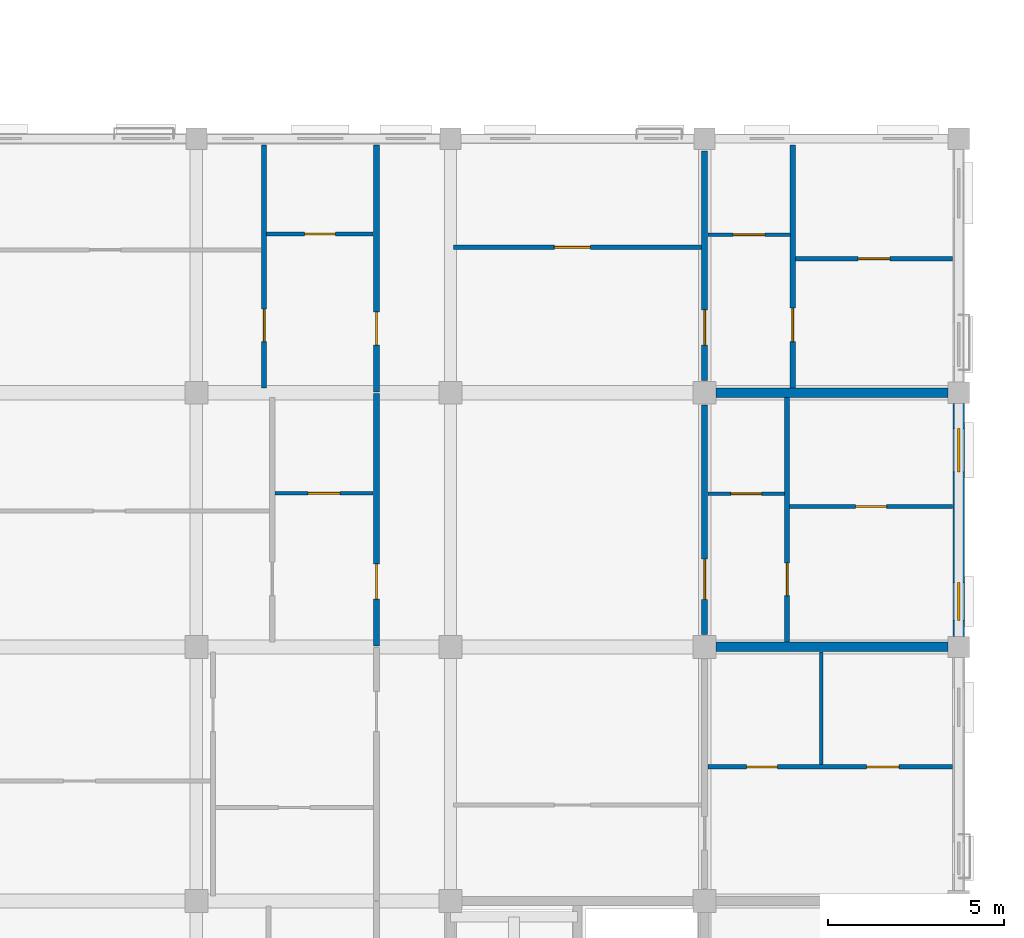
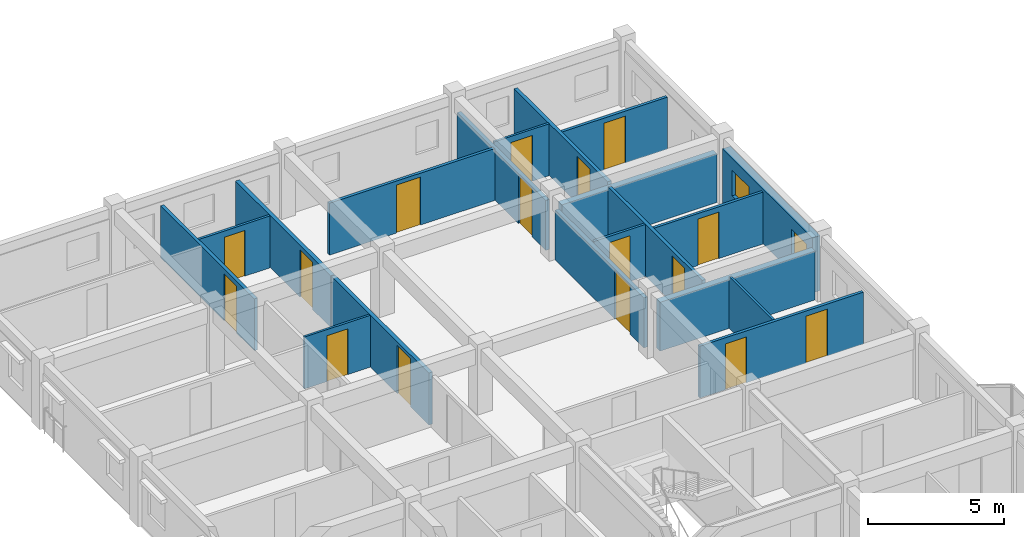
# One storey, part 104 of 124: 19 walls, 16 doors, 2 windows, 18 openings.
"""IFC4 building model written with IfcOpenShell, lengths in metres."""

from ifc_helpers import new_model, si_unit, direction, frame, frame_2d, origin, place, context, subcontext, project, spatial, rectangle, extrude, material, layer, layer_set, type_object, element, fill, save


model = new_model("IFC4")

# Units and contexts
model_context = context("Model", 3, precision=1e-05, world=origin(), true_north=direction((0.0, 1.0)))
body_context = subcontext(model_context, "Body", "Model", "MODEL_VIEW")
ifc_project = project(units=[si_unit("LENGTHUNIT", "METRE"), si_unit("AREAUNIT", "SQUARE_METRE"), si_unit("VOLUMEUNIT", "CUBIC_METRE"), si_unit("PLANEANGLEUNIT", "RADIAN"), si_unit("MASSUNIT", "GRAM", prefix="KILO"), si_unit("THERMODYNAMICTEMPERATUREUNIT", "KELVIN"), si_unit("POWERUNIT", "WATT")], contexts=[model_context])

# Site, building, storey
site_placement = place(None, origin())
site = spatial("IfcSite", under=ifc_project, at=site_placement, CompositionType="ELEMENT")
building_placement = place(site_placement, origin())
building = spatial("IfcBuilding", under=site, at=building_placement, Name="Tavuni Mirador Residences", CompositionType="ELEMENT")
storey_placement = place(building_placement, frame((0.0, 0.0, 7.64990234375)))
storey = spatial("IfcBuildingStorey", under=building, at=storey_placement, Name="L02", CompositionType="ELEMENT", Elevation=7.64990234375)

# Wall, opening, door
ifc_material_1 = material(Name="Precast concrete C40/50", Category="concrete")
ifc_layer_1 = layer(ifc_material_1, 0.1650390625, Name="Precast concrete C40/50", Category="concrete")
ifc_layer_set_1 = layer_set([ifc_layer_1], Name="Precast concrete C40/50")
wall_type_1 = type_object("IfcWallType", Name="WT-CORR165", PredefinedType="PARTITIONING", material=ifc_layer_set_1)
wall_1_placement = place(storey_placement, frame((102.300048828125, 122.419921875, 0.0), z_axis=(0.0, 0.0, 1.0), x_axis=(0.0, 1.0, 0.0)))
wall_1 = element("IfcWall", 1, at=wall_1_placement, inside=storey, type_object=wall_type_1, Name="CORW-BLK-D-L02-0-05", PredefinedType="PARTITIONING", context=body_context, shape_type="SweptSolid", body=[
    extrude(rectangle(XDim=7.16015625, YDim=0.1650390625, at=frame_2d((3.580078125, 0.0))), origin(), (0.0, 0.0, 1.0), 2.3251953125),
])
opening_1_placement = place(wall_1_placement, frame((1.330078125, 0.0, 0.0)))
opening_1 = element("IfcOpeningElement", 2, at=opening_1_placement, cuts=wall_1, Name="Opening D-03", PredefinedType="OPENING", context=body_context, shape_type="SweptSolid", body=[
    extrude(rectangle(XDim=1.0, YDim=2.14990234375, at=frame_2d((0.5, 1.074951171875))), frame((0.0, 0.092529296875, 0.0), z_axis=(0.0, -1.0, 0.0), x_axis=(1.0, 0.0, 0.0)), (0.0, 0.0, 1.0), 0.18505859375),
])
ifc_material_2 = material(Name="Solid core iroko timber", Category="wood")
door_type_1 = type_object("IfcDoorType", Name="DT-FD60-1000", OperationType="NOTDEFINED", PredefinedType="DOOR", material=ifc_material_2)
door_1_placement = place(opening_1_placement, origin())
door_1 = element("IfcDoor", 3, at=door_1_placement, inside=storey, type_object=door_type_1, Name="DR-2838", OperationType="SINGLE_SWING_LEFT", OverallHeight=2.14990234375, OverallWidth=1.0, PredefinedType="DOOR", context=body_context, shape_type="SweptSolid", body=[
    extrude(rectangle(XDim=1.0, YDim=2.14990234375, at=frame_2d((0.5, 1.074951171875))), frame((0.0, 0.02490234375, 0.0), z_axis=(0.0, -1.0, 0.0), x_axis=(1.0, 0.0, 0.0)), (0.0, 0.0, 1.0), 0.050048828125),
])
fill(opening_1, door_1)

wall_2_placement = place(storey_placement, frame((102.300048828125, 129.6201171875, 0.0), z_axis=(0.0, 0.0, 1.0), x_axis=(0.0, 1.0, 0.0)))
wall_2 = element("IfcWall", 4, at=wall_2_placement, inside=storey, type_object=wall_type_1, Name="CORW-BLK-D-L02-0-06", PredefinedType="PARTITIONING", context=body_context, shape_type="SweptSolid", body=[
    extrude(rectangle(XDim=7.0048828125, YDim=0.1650390625, at=frame_2d((3.50244140625, 0.0))), origin(), (0.0, 0.0, 1.0), 2.3251953125),
])
opening_2_placement = place(wall_2_placement, frame((1.330078125, 0.0, 0.0)))
opening_2 = element("IfcOpeningElement", 5, at=opening_2_placement, cuts=wall_2, Name="Opening D-19", PredefinedType="OPENING", context=body_context, shape_type="SweptSolid", body=[
    extrude(rectangle(XDim=0.93994140625, YDim=2.1201171875, at=frame_2d((0.469970703125, 1.06005859375))), frame((0.0, 0.092529296875, 0.0), z_axis=(0.0, -1.0, 0.0), x_axis=(1.0, 0.0, 0.0)), (0.0, 0.0, 1.0), 0.18505859375),
])
door_type_2 = type_object("IfcDoorType", Name="DT-FD60-940", OperationType="NOTDEFINED", PredefinedType="DOOR", material=ifc_material_2)
door_2_placement = place(opening_2_placement, origin())
door_2 = element("IfcDoor", 6, at=door_2_placement, inside=storey, type_object=door_type_2, Name="DR-2839", OperationType="SINGLE_SWING_RIGHT", OverallHeight=2.1201171875, OverallWidth=0.93994140625, PredefinedType="DOOR", context=body_context, shape_type="SweptSolid", body=[
    extrude(rectangle(XDim=0.93994140625, YDim=2.1201171875, at=frame_2d((0.469970703125, 1.06005859375))), frame((0.0, 0.02490234375, 0.0), z_axis=(0.0, -1.0, 0.0), x_axis=(1.0, 0.0, 0.0)), (0.0, 0.0, 1.0), 0.050048828125),
])
fill(opening_2, door_2)

wall_3_placement = place(storey_placement, frame((111.60009765625, 122.75, 0.0), z_axis=(0.0, 0.0, 1.0), x_axis=(0.0, 1.0, 0.0)))
wall_3 = element("IfcWall", 7, at=wall_3_placement, inside=storey, type_object=wall_type_1, Name="CORW-BLK-D-L02-1-05", PredefinedType="PARTITIONING", context=body_context, shape_type="SweptSolid", body=[
    extrude(rectangle(XDim=6.5, YDim=0.1650390625, at=frame_2d((3.25, 0.0))), origin(), (0.0, 0.0, 1.0), 2.239990234375),
])
opening_3_placement = place(wall_3_placement, frame((1.0, 0.0, 0.0)))
opening_3 = element("IfcOpeningElement", 8, at=opening_3_placement, cuts=wall_3, Name="Opening D-20", PredefinedType="OPENING", context=body_context, shape_type="SweptSolid", body=[
    extrude(rectangle(XDim=1.139892578125, YDim=2.179931640625, at=frame_2d((0.56982421875, 1.08984375))), frame((0.0, 0.092529296875, 0.0), z_axis=(0.0, -1.0, 0.0), x_axis=(1.0, 0.0, 0.0)), (0.0, 0.0, 1.0), 0.18505859375),
])
door_type_3 = type_object("IfcDoorType", Name="DT-FD60-1140", OperationType="NOTDEFINED", PredefinedType="DOOR", material=ifc_material_2)
door_3_placement = place(opening_3_placement, origin())
door_3 = element("IfcDoor", 9, at=door_3_placement, inside=storey, type_object=door_type_3, Name="DR-2843", OperationType="SINGLE_SWING_RIGHT", OverallHeight=2.179931640625, OverallWidth=1.139892578125, PredefinedType="DOOR", context=body_context, shape_type="SweptSolid", body=[
    extrude(rectangle(XDim=1.139892578125, YDim=2.179931640625, at=frame_2d((0.56982421875, 1.08984375))), frame((0.0, 0.02490234375, 0.0), z_axis=(0.0, -1.0, 0.0), x_axis=(1.0, 0.0, 0.0)), (0.0, 0.0, 1.0), 0.050048828125),
])
fill(opening_3, door_3)

wall_4_placement = place(storey_placement, frame((111.60009765625, 129.949951171875, 0.0), z_axis=(0.0, 0.0, 1.0), x_axis=(0.0, 1.0, 0.0)))
wall_4 = element("IfcWall", 10, at=wall_4_placement, inside=storey, type_object=wall_type_1, Name="CORW-BLK-D-L02-1-06", PredefinedType="PARTITIONING", context=body_context, shape_type="SweptSolid", body=[
    extrude(rectangle(XDim=6.5, YDim=0.1650390625, at=frame_2d((3.25, 0.0))), origin(), (0.0, 0.0, 1.0), 2.239990234375),
])
opening_4_placement = place(wall_4_placement, frame((1.0, 0.0, 0.0)))
opening_4 = element("IfcOpeningElement", 11, at=opening_4_placement, cuts=wall_4, Name="Opening D-03", PredefinedType="OPENING", context=body_context, shape_type="SweptSolid", body=[
    extrude(rectangle(XDim=1.0, YDim=2.14990234375, at=frame_2d((0.5, 1.074951171875))), frame((0.0, 0.092529296875, 0.0), z_axis=(0.0, -1.0, 0.0), x_axis=(1.0, 0.0, 0.0)), (0.0, 0.0, 1.0), 0.18505859375),
])
door_4_placement = place(opening_4_placement, origin())
door_4 = element("IfcDoor", 12, at=door_4_placement, inside=storey, type_object=door_type_1, Name="DR-2844", OperationType="SINGLE_SWING_LEFT", OverallHeight=2.14990234375, OverallWidth=1.0, PredefinedType="DOOR", context=body_context, shape_type="SweptSolid", body=[
    extrude(rectangle(XDim=1.0, YDim=2.14990234375, at=frame_2d((0.5, 1.074951171875))), frame((0.0, 0.02490234375, 0.0), z_axis=(0.0, -1.0, 0.0), x_axis=(1.0, 0.0, 0.0)), (0.0, 0.0, 1.0), 0.050048828125),
])
fill(opening_4, door_4)

# Wall, openings, windows
ifc_layer_2 = layer(ifc_material_1, 0.330078125, Name="Precast concrete C40/50", Category="concrete")
ifc_layer_set_2 = layer_set([ifc_layer_2], Name="Precast concrete C40/50")
wall_type_2 = type_object("IfcWallType", Name="WT-EXT-COR330", PredefinedType="SOLIDWALL", material=ifc_layer_set_2)
wall_5_placement = place(storey_placement, frame((118.800048828125, 122.699951171875, 0.0), z_axis=(0.0, 0.0, 1.0), x_axis=(0.0, 1.0, 0.0)))
wall_5 = element("IfcWall", 13, at=wall_5_placement, inside=storey, type_object=wall_type_2, Name="EW-BLK-D-L02-E05", PredefinedType="SOLIDWALL", context=body_context, shape_type="SweptSolid", body=[
    extrude(rectangle(XDim=6.60009765625, YDim=0.330078125, at=frame_2d((3.300048828125, 0.0))), origin(), (0.0, 0.0, 1.0), 2.460205078125),
])
opening_5_placement = place(wall_5_placement, frame((0.449951171875, 0.0, 0.780029296875)))
opening_5 = element("IfcOpeningElement", 14, at=opening_5_placement, cuts=wall_5, Name="Opening WN-04", PredefinedType="OPENING", context=body_context, shape_type="SweptSolid", body=[
    extrude(rectangle(XDim=1.080078125, YDim=1.14990234375, at=frame_2d((0.5400390625, 0.574951171875))), frame((0.0, 0.175048828125, 0.0), z_axis=(0.0, -1.0, 0.0), x_axis=(1.0, 0.0, 0.0)), (0.0, 0.0, 1.0), 0.35009765625),
])
opening_6_placement = place(wall_5_placement, frame((4.64990234375, 0.0, 0.780029296875)))
opening_6 = element("IfcOpeningElement", 15, at=opening_6_placement, cuts=wall_5, Name="Opening WN-06", PredefinedType="OPENING", context=body_context, shape_type="SweptSolid", body=[
    extrude(rectangle(XDim=1.239990234375, YDim=1.14990234375, at=frame_2d((0.6201171875, 0.574951171875))), frame((0.0, 0.175048828125, 0.0), z_axis=(0.0, -1.0, 0.0), x_axis=(1.0, 0.0, 0.0)), (0.0, 0.0, 1.0), 0.35009765625),
])
ifc_material_3 = material(Name="Laminated solar-control glass", Category="glass")
window_type_1 = type_object("IfcWindowType", Name="WNT-04", PartitioningType="SINGLE_PANEL", PredefinedType="WINDOW", material=ifc_material_3)
window_1_placement = place(opening_5_placement, origin())
window_1 = element("IfcWindow", 16, at=window_1_placement, inside=storey, type_object=window_type_1, Name="WIN-1501", OverallHeight=1.14990234375, OverallWidth=1.080078125, PartitioningType="SINGLE_PANEL", PredefinedType="WINDOW", context=body_context, shape_type="SweptSolid", body=[
    extrude(rectangle(XDim=1.080078125, YDim=1.14990234375, at=frame_2d((0.5400390625, 0.574951171875))), frame((0.0, 0.030029296875, 0.0), z_axis=(0.0, -1.0, 0.0), x_axis=(1.0, 0.0, 0.0)), (0.0, 0.0, 1.0), 0.06005859375),
])
fill(opening_5, window_1)
window_type_2 = type_object("IfcWindowType", Name="WNT-06", PartitioningType="SINGLE_PANEL", PredefinedType="WINDOW", material=ifc_material_3)
window_2_placement = place(opening_6_placement, origin())
window_2 = element("IfcWindow", 17, at=window_2_placement, inside=storey, type_object=window_type_2, Name="WIN-1502", OverallHeight=1.14990234375, OverallWidth=1.239990234375, PartitioningType="SINGLE_PANEL", PredefinedType="WINDOW", context=body_context, shape_type="SweptSolid", body=[
    extrude(rectangle(XDim=1.239990234375, YDim=1.14990234375, at=frame_2d((0.6201171875, 0.574951171875))), frame((0.0, 0.030029296875, 0.0), z_axis=(0.0, -1.0, 0.0), x_axis=(1.0, 0.0, 0.0)), (0.0, 0.0, 1.0), 0.06005859375),
])
fill(opening_6, window_2)

# Wall
ifc_material_4 = material(Name="Acoustic gypsum and concrete block partition", Category="concrete")
ifc_layer_3 = layer(ifc_material_4, 0.094970703125, Name="Acoustic gypsum and concrete block partition", Category="concrete")
ifc_layer_set_3 = layer_set([ifc_layer_3], Name="Acoustic gypsum and concrete block partition")
wall_type_3 = type_object("IfcWallType", Name="WT-PART095", PredefinedType="PARTITIONING", material=ifc_layer_set_3)
wall_6_placement = place(storey_placement, frame((114.89990234375, 119.070068359375, 0.0), z_axis=(0.0, 0.0, 1.0), x_axis=(0.0, 1.0, 0.0)))
element("IfcWall", 18, at=wall_6_placement, inside=storey, type_object=wall_type_3, Name="PW-BLK-D-L02-PF04-V", PredefinedType="PARTITIONING", context=body_context, shape_type="SweptSolid", body=[
    extrude(rectangle(XDim=3.18994140625, YDim=0.094970703125, at=frame_2d((1.594970703125, 0.0))), origin(), (0.0, 0.0, 1.0), 2.3251953125),
])

# Wall, opening, door
wall_7_placement = place(storey_placement, frame((99.419921875, 126.75, 0.0), z_axis=(0.0, 0.0, 1.0), x_axis=(1.0, 0.0, 0.0)))
wall_7 = element("IfcWall", 19, at=wall_7_placement, inside=storey, type_object=wall_type_3, Name="PW-BLK-D-L02-W05-IN1", PredefinedType="PARTITIONING", context=body_context, shape_type="SweptSolid", body=[
    extrude(rectangle(XDim=2.7900390625, YDim=0.094970703125, at=frame_2d((1.39501953125, 0.0))), origin(), (0.0, 0.0, 1.0), 2.3251953125),
])
opening_7_placement = place(wall_7_placement, frame((0.945068359375, 0.0, 0.0)))
opening_7 = element("IfcOpeningElement", 20, at=opening_7_placement, cuts=wall_7, Name="Opening D-09", PredefinedType="OPENING", context=body_context, shape_type="SweptSolid", body=[
    extrude(rectangle(XDim=0.89990234375, YDim=2.050048828125, at=frame_2d((0.449951171875, 1.02490234375))), frame((0.0, 0.0576171875, 0.0), z_axis=(0.0, -1.0, 0.0), x_axis=(1.0, 0.0, 0.0)), (0.0, 0.0, 1.0), 0.114990234375),
])
door_type_4 = type_object("IfcDoorType", Name="DT-WC900", OperationType="NOTDEFINED", PredefinedType="DOOR", material=ifc_material_2)
door_5_placement = place(opening_7_placement, origin())
door_5 = element("IfcDoor", 21, at=door_5_placement, inside=storey, type_object=door_type_4, Name="DR-4380", OperationType="SINGLE_SWING_RIGHT", OverallHeight=2.050048828125, OverallWidth=0.89990234375, PredefinedType="DOOR", context=body_context, shape_type="SweptSolid", body=[
    extrude(rectangle(XDim=0.89990234375, YDim=2.050048828125, at=frame_2d((0.449951171875, 1.02490234375))), frame((0.0, 0.02490234375, 0.0), z_axis=(0.0, -1.0, 0.0), x_axis=(1.0, 0.0, 0.0)), (0.0, 0.0, 1.0), 0.050048828125),
])
fill(opening_7, door_5)

wall_8_placement = place(storey_placement, frame((111.68994140625, 134.080078125, 0.0), z_axis=(0.0, 0.0, 1.0), x_axis=(1.0, 0.0, 0.0)))
wall_8 = element("IfcWall", 22, at=wall_8_placement, inside=storey, type_object=wall_type_3, Name="PW-BLK-D-L02-E06-IN1", PredefinedType="PARTITIONING", context=body_context, shape_type="SweptSolid", body=[
    extrude(rectangle(XDim=2.340087890625, YDim=0.094970703125, at=frame_2d((1.169921875, 0.0))), origin(), (0.0, 0.0, 1.0), 2.3251953125),
])
opening_8_placement = place(wall_8_placement, frame((0.719970703125, 0.0, 0.0)))
opening_8 = element("IfcOpeningElement", 23, at=opening_8_placement, cuts=wall_8, Name="Opening D-09", PredefinedType="OPENING", context=body_context, shape_type="SweptSolid", body=[
    extrude(rectangle(XDim=0.89990234375, YDim=2.050048828125, at=frame_2d((0.449951171875, 1.02490234375))), frame((0.0, 0.0576171875, 0.0), z_axis=(0.0, -1.0, 0.0), x_axis=(1.0, 0.0, 0.0)), (0.0, 0.0, 1.0), 0.114990234375),
])
door_6_placement = place(opening_8_placement, origin())
door_6 = element("IfcDoor", 24, at=door_6_placement, inside=storey, type_object=door_type_4, Name="DR-4390", OperationType="SINGLE_SWING_RIGHT", OverallHeight=2.050048828125, OverallWidth=0.89990234375, PredefinedType="DOOR", context=body_context, shape_type="SweptSolid", body=[
    extrude(rectangle(XDim=0.89990234375, YDim=2.050048828125, at=frame_2d((0.449951171875, 1.02490234375))), frame((0.0, 0.02490234375, 0.0), z_axis=(0.0, -1.0, 0.0), x_axis=(1.0, 0.0, 0.0)), (0.0, 0.0, 1.0), 0.050048828125),
])
fill(opening_8, door_6)

ifc_layer_4 = layer(ifc_material_4, 0.10498046875, Name="Acoustic gypsum and concrete block partition", Category="concrete")
ifc_layer_set_4 = layer_set([ifc_layer_4], Name="Acoustic gypsum and concrete block partition")
wall_type_4 = type_object("IfcWallType", Name="WT-PART105", PredefinedType="PARTITIONING", material=ifc_layer_set_4)
wall_9_placement = place(storey_placement, frame((111.68994140625, 126.739990234375, 0.0), z_axis=(0.0, 0.0, 1.0), x_axis=(1.0, 0.0, 0.0)))
wall_9 = element("IfcWall", 25, at=wall_9_placement, inside=storey, type_object=wall_type_4, Name="PW-BLK-D-L02-E05-IN1", PredefinedType="PARTITIONING", context=body_context, shape_type="SweptSolid", body=[
    extrude(rectangle(XDim=2.18017578125, YDim=0.10498046875, at=frame_2d((1.090087890625, 0.0))), origin(), (0.0, 0.0, 1.0), 2.3251953125),
])
opening_9_placement = place(wall_9_placement, frame((0.655029296875, 0.0, 0.0)))
opening_9 = element("IfcOpeningElement", 26, at=opening_9_placement, cuts=wall_9, Name="Opening D-10", PredefinedType="OPENING", context=body_context, shape_type="SweptSolid", body=[
    extrude(rectangle(XDim=0.8701171875, YDim=2.050048828125, at=frame_2d((0.43505859375, 1.02490234375))), frame((0.0, 0.0625, 0.0), z_axis=(0.0, -1.0, 0.0), x_axis=(1.0, 0.0, 0.0)), (0.0, 0.0, 1.0), 0.125),
])
door_type_5 = type_object("IfcDoorType", Name="DT-WC870", OperationType="NOTDEFINED", PredefinedType="DOOR", material=ifc_material_2)
door_7_placement = place(opening_9_placement, origin())
door_7 = element("IfcDoor", 27, at=door_7_placement, inside=storey, type_object=door_type_5, Name="DR-4383", OperationType="SINGLE_SWING_LEFT", OverallHeight=2.050048828125, OverallWidth=0.8701171875, PredefinedType="DOOR", context=body_context, shape_type="SweptSolid", body=[
    extrude(rectangle(XDim=0.8701171875, YDim=2.050048828125, at=frame_2d((0.43505859375, 1.02490234375))), frame((0.0, 0.02490234375, 0.0), z_axis=(0.0, -1.0, 0.0), x_axis=(1.0, 0.0, 0.0)), (0.0, 0.0, 1.0), 0.050048828125),
])
fill(opening_9, door_7)

wall_10_placement = place(storey_placement, frame((99.18994140625, 134.10009765625, 0.0), z_axis=(0.0, 0.0, 1.0), x_axis=(1.0, 0.0, 0.0)))
wall_10 = element("IfcWall", 28, at=wall_10_placement, inside=storey, type_object=wall_type_4, Name="PW-BLK-D-L02-W06-IN1", PredefinedType="PARTITIONING", context=body_context, shape_type="SweptSolid", body=[
    extrude(rectangle(XDim=3.02001953125, YDim=0.10498046875, at=frame_2d((1.510009765625, 0.0))), origin(), (0.0, 0.0, 1.0), 2.3251953125),
])
opening_10_placement = place(wall_10_placement, frame((1.074951171875, 0.0, 0.0)))
opening_10 = element("IfcOpeningElement", 29, at=opening_10_placement, cuts=wall_10, Name="Opening D-10", PredefinedType="OPENING", context=body_context, shape_type="SweptSolid", body=[
    extrude(rectangle(XDim=0.8701171875, YDim=2.050048828125, at=frame_2d((0.43505859375, 1.02490234375))), frame((0.0, 0.0625, 0.0), z_axis=(0.0, -1.0, 0.0), x_axis=(1.0, 0.0, 0.0)), (0.0, 0.0, 1.0), 0.125),
])
door_8_placement = place(opening_10_placement, origin())
door_8 = element("IfcDoor", 30, at=door_8_placement, inside=storey, type_object=door_type_5, Name="DR-4387", OperationType="SINGLE_SWING_LEFT", OverallHeight=2.050048828125, OverallWidth=0.8701171875, PredefinedType="DOOR", context=body_context, shape_type="SweptSolid", body=[
    extrude(rectangle(XDim=0.8701171875, YDim=2.050048828125, at=frame_2d((0.43505859375, 1.02490234375))), frame((0.0, 0.02490234375, 0.0), z_axis=(0.0, -1.0, 0.0), x_axis=(1.0, 0.0, 0.0)), (0.0, 0.0, 1.0), 0.050048828125),
])
fill(opening_10, door_8)

ifc_layer_5 = layer(ifc_material_4, 0.114990234375, Name="Acoustic gypsum and concrete block partition", Category="concrete")
ifc_layer_set_5 = layer_set([ifc_layer_5], Name="Acoustic gypsum and concrete block partition")
wall_type_5 = type_object("IfcWallType", Name="WT-PART115", PredefinedType="PARTITIONING", material=ifc_layer_set_5)
wall_11_placement = place(storey_placement, frame((114.010009765625, 126.3798828125, 0.0), z_axis=(0.0, 0.0, 1.0), x_axis=(1.0, 0.0, 0.0)))
wall_11 = element("IfcWall", 31, at=wall_11_placement, inside=storey, type_object=wall_type_5, Name="PW-BLK-D-L02-E05-OUT", PredefinedType="PARTITIONING", context=body_context, shape_type="SweptSolid", body=[
    extrude(rectangle(XDim=4.614990234375, YDim=0.114990234375, at=frame_2d((2.3076171875, 0.0))), origin(), (0.0, 0.0, 1.0), 2.3251953125),
])
opening_11_placement = place(wall_11_placement, frame((1.867431640625, 0.0, 0.0)))
opening_11 = element("IfcOpeningElement", 32, at=opening_11_placement, cuts=wall_11, Name="Opening D-08", PredefinedType="OPENING", context=body_context, shape_type="SweptSolid", body=[
    extrude(rectangle(XDim=0.8798828125, YDim=2.080078125, at=frame_2d((0.43994140625, 1.0400390625))), frame((0.0, 0.0673828125, 0.0), z_axis=(0.0, -1.0, 0.0), x_axis=(1.0, 0.0, 0.0)), (0.0, 0.0, 1.0), 0.135009765625),
])
door_type_6 = type_object("IfcDoorType", Name="DT-BED880", OperationType="NOTDEFINED", PredefinedType="DOOR", material=ifc_material_2)
door_9_placement = place(opening_11_placement, origin())
door_9 = element("IfcDoor", 33, at=door_9_placement, inside=storey, type_object=door_type_6, Name="DR-4382", OperationType="SINGLE_SWING_RIGHT", OverallHeight=2.080078125, OverallWidth=0.8798828125, PredefinedType="DOOR", context=body_context, shape_type="SweptSolid", body=[
    extrude(rectangle(XDim=0.8798828125, YDim=2.080078125, at=frame_2d((0.43994140625, 1.0400390625))), frame((0.0, 0.02490234375, 0.0), z_axis=(0.0, -1.0, 0.0), x_axis=(1.0, 0.0, 0.0)), (0.0, 0.0, 1.0), 0.050048828125),
])
fill(opening_11, door_9)

# Wall, openings, doors
ifc_layer_6 = layer(ifc_material_4, 0.125, Name="Acoustic gypsum and concrete block partition", Category="concrete")
ifc_layer_set_6 = layer_set([ifc_layer_6], Name="Acoustic gypsum and concrete block partition")
wall_type_6 = type_object("IfcWallType", Name="WT-PART125", PredefinedType="PARTITIONING", material=ifc_layer_set_6)
wall_12_placement = place(storey_placement, frame((111.68994140625, 119.0, 0.0), z_axis=(0.0, 0.0, 1.0), x_axis=(1.0, 0.0, 0.0)))
wall_12 = element("IfcWall", 34, at=wall_12_placement, inside=storey, type_object=wall_type_6, Name="PW-BLK-D-L02-PF04-H", PredefinedType="PARTITIONING", context=body_context, shape_type="SweptSolid", body=[
    extrude(rectangle(XDim=6.93505859375, YDim=0.125, at=frame_2d((3.467529296875, 0.0))), origin(), (0.0, 0.0, 1.0), 2.3251953125),
])
opening_12_placement = place(wall_12_placement, frame((1.10009765625, 0.0, 0.0)))
opening_12 = element("IfcOpeningElement", 35, at=opening_12_placement, cuts=wall_12, Name="Opening D-10", PredefinedType="OPENING", context=body_context, shape_type="SweptSolid", body=[
    extrude(rectangle(XDim=0.8701171875, YDim=2.050048828125, at=frame_2d((0.43505859375, 1.02490234375))), frame((0.0, 0.072509765625, 0.0), z_axis=(0.0, -1.0, 0.0), x_axis=(1.0, 0.0, 0.0)), (0.0, 0.0, 1.0), 0.14501953125),
])
opening_13_placement = place(wall_12_placement, frame((4.5, 0.0, 0.0)))
opening_13 = element("IfcOpeningElement", 36, at=opening_13_placement, cuts=wall_12, Name="Opening D-06", PredefinedType="OPENING", context=body_context, shape_type="SweptSolid", body=[
    extrude(rectangle(XDim=0.919921875, YDim=2.10009765625, at=frame_2d((0.4599609375, 1.050048828125))), frame((0.0, 0.072509765625, 0.0), z_axis=(0.0, -1.0, 0.0), x_axis=(1.0, 0.0, 0.0)), (0.0, 0.0, 1.0), 0.14501953125),
])
door_type_7 = type_object("IfcDoorType", Name="DT-INT920", OperationType="NOTDEFINED", PredefinedType="DOOR", material=ifc_material_2)
door_10_placement = place(opening_13_placement, origin())
door_10 = element("IfcDoor", 37, at=door_10_placement, inside=storey, type_object=door_type_7, Name="DR-4378", OperationType="SINGLE_SWING_RIGHT", OverallHeight=2.10009765625, OverallWidth=0.919921875, PredefinedType="DOOR", context=body_context, shape_type="SweptSolid", body=[
    extrude(rectangle(XDim=0.919921875, YDim=2.10009765625, at=frame_2d((0.4599609375, 1.050048828125))), frame((0.0, 0.02490234375, 0.0), z_axis=(0.0, -1.0, 0.0), x_axis=(1.0, 0.0, 0.0)), (0.0, 0.0, 1.0), 0.050048828125),
])
fill(opening_13, door_10)
door_11_placement = place(opening_12_placement, origin())
door_11 = element("IfcDoor", 38, at=door_11_placement, inside=storey, type_object=door_type_5, Name="DR-4377", OperationType="SINGLE_SWING_LEFT", OverallHeight=2.050048828125, OverallWidth=0.8701171875, PredefinedType="DOOR", context=body_context, shape_type="SweptSolid", body=[
    extrude(rectangle(XDim=0.8701171875, YDim=2.050048828125, at=frame_2d((0.43505859375, 1.02490234375))), frame((0.0, 0.02490234375, 0.0), z_axis=(0.0, -1.0, 0.0), x_axis=(1.0, 0.0, 0.0)), (0.0, 0.0, 1.0), 0.050048828125),
])
fill(opening_12, door_11)

# Wall, opening, door
wall_13_placement = place(storey_placement, frame((104.489990234375, 133.719970703125, 0.0), z_axis=(0.0, 0.0, 1.0), x_axis=(1.0, 0.0, 0.0)))
wall_13 = element("IfcWall", 39, at=wall_13_placement, inside=storey, type_object=wall_type_6, Name="PW-SPN-BLK-D-L02-06", PredefinedType="PARTITIONING", context=body_context, shape_type="SweptSolid", body=[
    extrude(rectangle(XDim=7.02001953125, YDim=0.125, at=frame_2d((3.510009765625, 0.0))), origin(), (0.0, 0.0, 1.0), 2.3251953125),
])
opening_14_placement = place(wall_13_placement, frame((2.85009765625, 0.0, 0.0)))
opening_14 = element("IfcOpeningElement", 40, at=opening_14_placement, cuts=wall_13, Name="Opening D-13", PredefinedType="OPENING", context=body_context, shape_type="SweptSolid", body=[
    extrude(rectangle(XDim=1.02001953125, YDim=2.14990234375, at=frame_2d((0.510009765625, 1.074951171875))), frame((0.0, 0.072509765625, 0.0), z_axis=(0.0, -1.0, 0.0), x_axis=(1.0, 0.0, 0.0)), (0.0, 0.0, 1.0), 0.14501953125),
])
door_type_8 = type_object("IfcDoorType", Name="DT-MTG1020", OperationType="NOTDEFINED", PredefinedType="DOOR", material=ifc_material_2)
door_12_placement = place(opening_14_placement, origin())
door_12 = element("IfcDoor", 41, at=door_12_placement, inside=storey, type_object=door_type_8, Name="DR-4385", OperationType="SINGLE_SWING_LEFT", OverallHeight=2.14990234375, OverallWidth=1.02001953125, PredefinedType="DOOR", context=body_context, shape_type="SweptSolid", body=[
    extrude(rectangle(XDim=1.02001953125, YDim=2.14990234375, at=frame_2d((0.510009765625, 1.074951171875))), frame((0.0, 0.02490234375, 0.0), z_axis=(0.0, -1.0, 0.0), x_axis=(1.0, 0.0, 0.0)), (0.0, 0.0, 1.0), 0.050048828125),
])
fill(opening_14, door_12)

wall_14_placement = place(storey_placement, frame((114.169921875, 133.39990234375, 0.0), z_axis=(0.0, 0.0, 1.0), x_axis=(1.0, 0.0, 0.0)))
wall_14 = element("IfcWall", 42, at=wall_14_placement, inside=storey, type_object=wall_type_6, Name="PW-BLK-D-L02-E06-OUT", PredefinedType="PARTITIONING", context=body_context, shape_type="SweptSolid", body=[
    extrude(rectangle(XDim=4.455078125, YDim=0.125, at=frame_2d((2.2275390625, 0.0))), origin(), (0.0, 0.0, 1.0), 2.3251953125),
])
opening_15_placement = place(wall_14_placement, frame((1.777587890625, 0.0, 0.0)))
opening_15 = element("IfcOpeningElement", 43, at=opening_15_placement, cuts=wall_14, Name="Opening D-07", PredefinedType="OPENING", context=body_context, shape_type="SweptSolid", body=[
    extrude(rectangle(XDim=0.89990234375, YDim=2.10009765625, at=frame_2d((0.449951171875, 1.050048828125))), frame((0.0, 0.072509765625, 0.0), z_axis=(0.0, -1.0, 0.0), x_axis=(1.0, 0.0, 0.0)), (0.0, 0.0, 1.0), 0.14501953125),
])
door_type_9 = type_object("IfcDoorType", Name="DT-BED900", OperationType="NOTDEFINED", PredefinedType="DOOR", material=ifc_material_2)
door_13_placement = place(opening_15_placement, origin())
door_13 = element("IfcDoor", 44, at=door_13_placement, inside=storey, type_object=door_type_9, Name="DR-4389", OperationType="SINGLE_SWING_LEFT", OverallHeight=2.10009765625, OverallWidth=0.89990234375, PredefinedType="DOOR", context=body_context, shape_type="SweptSolid", body=[
    extrude(rectangle(XDim=0.89990234375, YDim=2.10009765625, at=frame_2d((0.449951171875, 1.050048828125))), frame((0.0, 0.02490234375, 0.0), z_axis=(0.0, -1.0, 0.0), x_axis=(1.0, 0.0, 0.0)), (0.0, 0.0, 1.0), 0.050048828125),
])
fill(opening_15, door_13)

ifc_layer_7 = layer(ifc_material_4, 0.139892578125, Name="Acoustic gypsum and concrete block partition", Category="concrete")
ifc_layer_set_7 = layer_set([ifc_layer_7], Name="Acoustic gypsum and concrete block partition")
wall_type_7 = type_object("IfcWallType", Name="WT-PART140", PredefinedType="PARTITIONING", material=ifc_layer_set_7)
wall_15_placement = place(storey_placement, frame((113.93994140625, 122.5400390625, 0.0), z_axis=(0.0, 0.0, 1.0), x_axis=(0.0, 1.0, 0.0)))
wall_15 = element("IfcWall", 45, at=wall_15_placement, inside=storey, type_object=wall_type_7, Name="PW-BLK-D-L02-E05-MID", PredefinedType="PARTITIONING", context=body_context, shape_type="SweptSolid", body=[
    extrude(rectangle(XDim=6.919921875, YDim=0.139892578125, at=frame_2d((3.4599609375, 0.0))), origin(), (0.0, 0.0, 1.0), 2.3251953125),
])
opening_16_placement = place(wall_15_placement, frame((1.31005859375, 0.0, 0.0)))
opening_16 = element("IfcOpeningElement", 46, at=opening_16_placement, cuts=wall_15, Name="Opening D-06", PredefinedType="OPENING", context=body_context, shape_type="SweptSolid", body=[
    extrude(rectangle(XDim=0.919921875, YDim=2.10009765625, at=frame_2d((0.4599609375, 1.050048828125))), frame((0.0, 0.080078125, 0.0), z_axis=(0.0, -1.0, 0.0), x_axis=(1.0, 0.0, 0.0)), (0.0, 0.0, 1.0), 0.159912109375),
])
door_14_placement = place(opening_16_placement, origin())
door_14 = element("IfcDoor", 47, at=door_14_placement, inside=storey, type_object=door_type_7, Name="DR-4384", OperationType="SINGLE_SWING_RIGHT", OverallHeight=2.10009765625, OverallWidth=0.919921875, PredefinedType="DOOR", context=body_context, shape_type="SweptSolid", body=[
    extrude(rectangle(XDim=0.919921875, YDim=2.10009765625, at=frame_2d((0.4599609375, 1.050048828125))), frame((0.0, 0.02490234375, 0.0), z_axis=(0.0, -1.0, 0.0), x_axis=(1.0, 0.0, 0.0)), (0.0, 0.0, 1.0), 0.050048828125),
])
fill(opening_16, door_14)

wall_16_placement = place(storey_placement, frame((99.1201171875, 129.739990234375, 0.0), z_axis=(0.0, 0.0, 1.0), x_axis=(0.0, 1.0, 0.0)))
wall_16 = element("IfcWall", 48, at=wall_16_placement, inside=storey, type_object=wall_type_7, Name="PW-BLK-D-L02-W06-MID", PredefinedType="PARTITIONING", context=body_context, shape_type="SweptSolid", body=[
    extrude(rectangle(XDim=6.885009765625, YDim=0.139892578125, at=frame_2d((3.4423828125, 0.0))), origin(), (0.0, 0.0, 1.0), 2.3251953125),
])
opening_17_placement = place(wall_16_placement, frame((1.31005859375, 0.0, 0.0)))
opening_17 = element("IfcOpeningElement", 49, at=opening_17_placement, cuts=wall_16, Name="Opening D-06", PredefinedType="OPENING", context=body_context, shape_type="SweptSolid", body=[
    extrude(rectangle(XDim=0.919921875, YDim=2.10009765625, at=frame_2d((0.4599609375, 1.050048828125))), frame((0.0, 0.080078125, 0.0), z_axis=(0.0, -1.0, 0.0), x_axis=(1.0, 0.0, 0.0)), (0.0, 0.0, 1.0), 0.159912109375),
])
door_15_placement = place(opening_17_placement, origin())
door_15 = element("IfcDoor", 50, at=door_15_placement, inside=storey, type_object=door_type_7, Name="DR-4388", OperationType="SINGLE_SWING_RIGHT", OverallHeight=2.10009765625, OverallWidth=0.919921875, PredefinedType="DOOR", context=body_context, shape_type="SweptSolid", body=[
    extrude(rectangle(XDim=0.919921875, YDim=2.10009765625, at=frame_2d((0.4599609375, 1.050048828125))), frame((0.0, 0.02490234375, 0.0), z_axis=(0.0, -1.0, 0.0), x_axis=(1.0, 0.0, 0.0)), (0.0, 0.0, 1.0), 0.050048828125),
])
fill(opening_17, door_15)

ifc_layer_8 = layer(ifc_material_4, 0.14990234375, Name="Acoustic gypsum and concrete block partition", Category="concrete")
ifc_layer_set_8 = layer_set([ifc_layer_8], Name="Acoustic gypsum and concrete block partition")
wall_type_8 = type_object("IfcWallType", Name="WT-PART150", PredefinedType="PARTITIONING", material=ifc_layer_set_8)
wall_17_placement = place(storey_placement, frame((114.10009765625, 129.739990234375, 0.0), z_axis=(0.0, 0.0, 1.0), x_axis=(0.0, 1.0, 0.0)))
wall_17 = element("IfcWall", 51, at=wall_17_placement, inside=storey, type_object=wall_type_8, Name="PW-BLK-D-L02-E06-MID", PredefinedType="PARTITIONING", context=body_context, shape_type="SweptSolid", body=[
    extrude(rectangle(XDim=6.885009765625, YDim=0.14990234375, at=frame_2d((3.4423828125, 0.0))), origin(), (0.0, 0.0, 1.0), 2.3251953125),
])
opening_18_placement = place(wall_17_placement, frame((1.31005859375, 0.0, 0.0)))
opening_18 = element("IfcOpeningElement", 52, at=opening_18_placement, cuts=wall_17, Name="Opening D-05", PredefinedType="OPENING", context=body_context, shape_type="SweptSolid", body=[
    extrude(rectangle(XDim=0.949951171875, YDim=2.10009765625, at=frame_2d((0.47509765625, 1.050048828125))), frame((0.0, 0.0849609375, 0.0), z_axis=(0.0, -1.0, 0.0), x_axis=(1.0, 0.0, 0.0)), (0.0, 0.0, 1.0), 0.169921875),
])
door_type_10 = type_object("IfcDoorType", Name="DT-INT950", OperationType="NOTDEFINED", PredefinedType="DOOR", material=ifc_material_2)
door_16_placement = place(opening_18_placement, origin())
door_16 = element("IfcDoor", 53, at=door_16_placement, inside=storey, type_object=door_type_10, Name="DR-4391", OperationType="SINGLE_SWING_LEFT", OverallHeight=2.10009765625, OverallWidth=0.949951171875, PredefinedType="DOOR", context=body_context, shape_type="SweptSolid", body=[
    extrude(rectangle(XDim=0.949951171875, YDim=2.10009765625, at=frame_2d((0.47509765625, 1.050048828125))), frame((0.0, 0.02490234375, 0.0), z_axis=(0.0, -1.0, 0.0), x_axis=(1.0, 0.0, 0.0)), (0.0, 0.0, 1.0), 0.050048828125),
])
fill(opening_18, door_16)

# Walls
ifc_layer_9 = layer(ifc_material_1, 0.264892578125, Name="Precast concrete C40/50", Category="concrete")
ifc_layer_set_9 = layer_set([ifc_layer_9], Name="Precast concrete C40/50")
wall_type_9 = type_object("IfcWallType", Name="WT-XW265", PredefinedType="SOLIDWALL", material=ifc_layer_set_9)
for number, where, z_axis, x_axis, name in (
    (54, (111.925048828125, 122.39990234375, 0.0), (0.0, 0.0, 1.0), (1.0, 0.0, 0.0), "XW-BLK-D-L02-E-05"),
    (55, (111.925048828125, 129.60009765625, 0.0), (0.0, 0.0, 1.0), (1.0, 0.0, 0.0), "XW-BLK-D-L02-E-06"),
):
    element("IfcWall", number, at=place(storey_placement, frame(where, z_axis=z_axis, x_axis=x_axis)), inside=storey, type_object=wall_type_9, Name=name, PredefinedType="SOLIDWALL", context=body_context, shape_type="SweptSolid", body=[
        extrude(rectangle(XDim=6.574951171875, YDim=0.264892578125, at=frame_2d((3.28759765625, 0.0))), origin(), (0.0, 0.0, 1.0), 2.190185546875),
    ])

save(model, "model.ifc")
